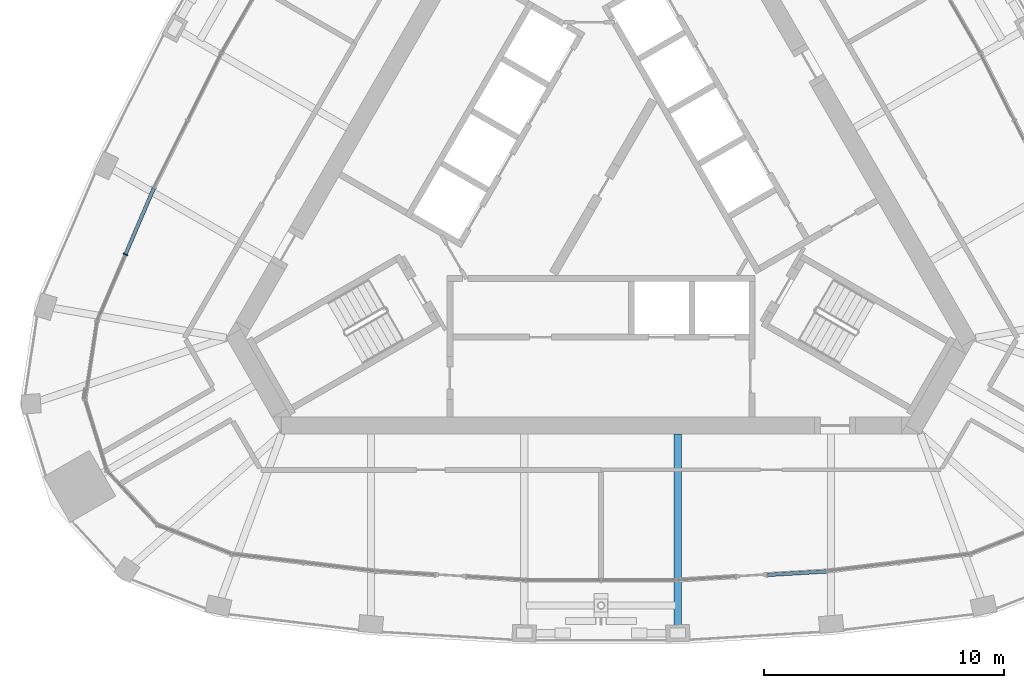
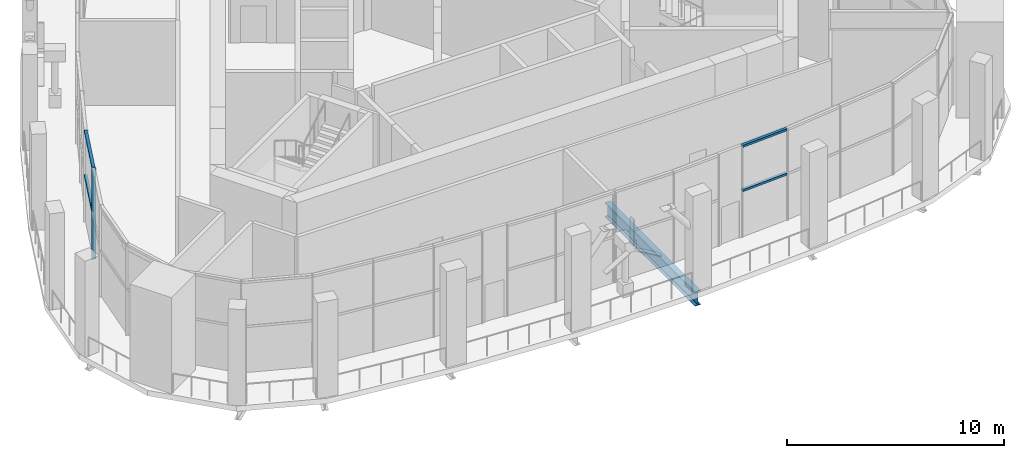
# One storey, part 3 of 23: 5 members, 1 beam, 2 elements without a shape of their own.
"""IFC4 building model written with IfcOpenShell, lengths in metres."""

from ifc_helpers import new_model, si_unit, direction, frame, origin, origin_2d, place, context, subcontext, project, spatial, rectangle, i_section, extrude, material, material_profile, profile_set, type_object, element, aggregate, save


model = new_model("IFC4")

# Units and contexts
model_context = context("Model", 3, precision=1e-05, world=origin(), true_north=direction((0.0, 1.0)))
body_context = subcontext(model_context, "Body", "Model", "MODEL_VIEW")
ifc_project = project(units=[si_unit("LENGTHUNIT", "METRE"), si_unit("AREAUNIT", "SQUARE_METRE"), si_unit("VOLUMEUNIT", "CUBIC_METRE"), si_unit("PLANEANGLEUNIT", "RADIAN"), si_unit("MASSUNIT", "GRAM", prefix="KILO")], contexts=[model_context])

# Site, building, storey
site_placement = place(None, origin())
site = spatial("IfcSite", under=ifc_project, at=site_placement, CompositionType="ELEMENT")
building_placement = place(site_placement, origin())
building = spatial("IfcBuilding", under=site, at=building_placement, Name="Mestral Congress Tower", CompositionType="ELEMENT")
storey_placement = place(building_placement, frame((0.0, 0.0, 261.60009765625)))
storey = spatial("IfcBuildingStorey", under=building, at=storey_placement, Name="L61", CompositionType="ELEMENT", Elevation=261.60009765625)

# Curtain wall, member
ifc_material_1 = material(Name="Clear low-emissivity double glazing", Category="glass")
curtain_wall_type = type_object("IfcCurtainWallType", Name="Facade control room curtain wall", PredefinedType="USERDEFINED", material=ifc_material_1)
placement = place(storey_placement, origin())
curtain_wall_1 = element("IfcCurtainWall", 1, at=placement, inside=storey, type_object=curtain_wall_type, Name="Facade control room curtain wall face 3", ObjectType="CURTAIN WALL", PredefinedType="USERDEFINED")
ifc_material_2 = material(Name="Anodised aluminium", Category="aluminium")
ifc_material_profile_1 = material_profile(ifc_material_2, rectangle(XDim=0.199951171875, YDim=0.050048828125, at=origin_2d()), Name="CW5 mullion 200 x 50")
ifc_profile_set_1 = profile_set([ifc_material_profile_1], Name="Anodised aluminium")
member_type_1 = type_object("IfcMemberType", Name="Facade control room curtain wall mullion", PredefinedType="MULLION", material=ifc_profile_set_1)
member_1_placement = place(storey_placement, frame((-19.8125, -2.873779296875, 0.0), z_axis=(0.0, 0.0, 1.0), x_axis=(-0.919389544173, 0.393348275787, 0.0)))
member_1 = element("IfcMember", 2, at=member_1_placement, type_object=member_type_1, Name="Facade control room curtain wall mullion", PredefinedType="MULLION", context=body_context, shape_type="SweptSolid", body=[
    extrude(rectangle(XDim=0.199951171875, YDim=0.050048828125, at=origin_2d()), origin(), (0.0, 0.0, 1.0), 5.14990234375),
])

# Curtain wall, members
curtain_wall_2 = element("IfcCurtainWall", 3, at=placement, inside=storey, type_object=curtain_wall_type, Name="Facade control room curtain wall face 1", ObjectType="CURTAIN WALL", PredefinedType="USERDEFINED")
ifc_material_profile_2 = material_profile(ifc_material_2, rectangle(XDim=0.14990234375, YDim=0.1201171875, at=origin_2d()), Name="CW5 transom 150 x 120")
ifc_profile_set_2 = profile_set([ifc_material_profile_2], Name="Anodised aluminium")
member_type_2 = type_object("IfcMemberType", Name="Facade control room curtain wall transom", PredefinedType="USERDEFINED", material=ifc_profile_set_2)
member_2_placement = place(storey_placement, frame((6.93603515625, -16.22802734375, 2.599853515625), z_axis=(0.998223150164, 0.05958642862, 0.0), x_axis=(-0.05958642862, 0.998223150164, 0.0)))
member_2 = element("IfcMember", 4, at=member_2_placement, type_object=member_type_2, Name="Facade control room curtain wall transom", ObjectType="TRANSOM", PredefinedType="USERDEFINED", context=body_context, shape_type="SweptSolid", body=[
    extrude(rectangle(XDim=0.14990234375, YDim=0.1201171875, at=origin_2d()), origin(), (0.0, 0.0, 1.0), 2.433837890625),
])
member_3_placement = place(storey_placement, frame((6.93603515625, -16.22802734375, 5.08984375), z_axis=(0.998223150164, 0.05958642862, 0.0), x_axis=(-0.05958642862, 0.998223150164, 0.0)))
member_3 = element("IfcMember", 5, at=member_3_placement, type_object=member_type_2, Name="Facade control room curtain wall transom", ObjectType="TRANSOM", PredefinedType="USERDEFINED", context=body_context, shape_type="SweptSolid", body=[
    extrude(rectangle(XDim=0.14990234375, YDim=0.1201171875, at=origin_2d()), origin(), (0.0, 0.0, 1.0), 2.433837890625),
])
aggregate(curtain_wall_2, [member_2, member_3])

# Member
member_4_placement = place(storey_placement, frame((-18.632080078125, -0.114501953125, 2.599853515625), z_axis=(-0.393335106997, -0.919395178149, 0.0), x_axis=(0.919395178149, -0.393335106997, 0.0)))
member_4 = element("IfcMember", 6, at=member_4_placement, type_object=member_type_2, Name="Facade control room curtain wall transom", ObjectType="TRANSOM", PredefinedType="USERDEFINED", context=body_context, shape_type="SweptSolid", body=[
    extrude(rectangle(XDim=0.14990234375, YDim=0.1201171875, at=origin_2d()), origin(), (0.0, 0.0, 1.0), 2.976318359375),
])

member_5_placement = place(storey_placement, frame((-18.632080078125, -0.114501953125, 5.08984375), z_axis=(-0.393335106997, -0.919395178149, 0.0), x_axis=(0.919395178149, -0.393335106997, 0.0)))
member_5 = element("IfcMember", 7, at=member_5_placement, type_object=member_type_2, Name="Facade control room curtain wall transom", ObjectType="TRANSOM", PredefinedType="USERDEFINED", context=body_context, shape_type="SweptSolid", body=[
    extrude(rectangle(XDim=0.14990234375, YDim=0.1201171875, at=origin_2d()), origin(), (0.0, 0.0, 1.0), 2.976318359375),
])

aggregate(curtain_wall_1, [member_1, member_4, member_5])

# Beam
ifc_material_3 = material(Name="Steel S355", Category="steel")
ifc_material_profile_3 = material_profile(ifc_material_3, i_section(OverallWidth=0.300048828125, OverallDepth=0.800048828125, WebThickness=0.017578125, FlangeThickness=0.032958984375, FilletRadius=0.030029296875, at=origin_2d()), Name="HEB 800")
ifc_profile_set_3 = profile_set([ifc_material_profile_3], Name="Steel S355")
beam_type = type_object("IfcBeamType", Name="Floor beam HEB 800 S355", PredefinedType="BEAM", material=ifc_profile_set_3)
beam_placement = place(storey_placement, frame((3.199462890625, -18.6552734375, -0.7001953125), z_axis=(0.0, 1.0, 0.0), x_axis=(-1.0, 0.0, 0.0)))
element("IfcBeam", 8, at=beam_placement, inside=storey, type_object=beam_type, Name="BM-L61-RB5-S03", PredefinedType="BEAM", context=body_context, shape_type="SweptSolid", body=[
    extrude(i_section(OverallWidth=0.300048828125, OverallDepth=0.800048828125, WebThickness=0.017578125, FlangeThickness=0.032958984375, FilletRadius=0.030029296875, at=origin_2d()), origin(), (0.0, 0.0, 1.0), 8.30517578125),
])

save(model, "model.ifc")
